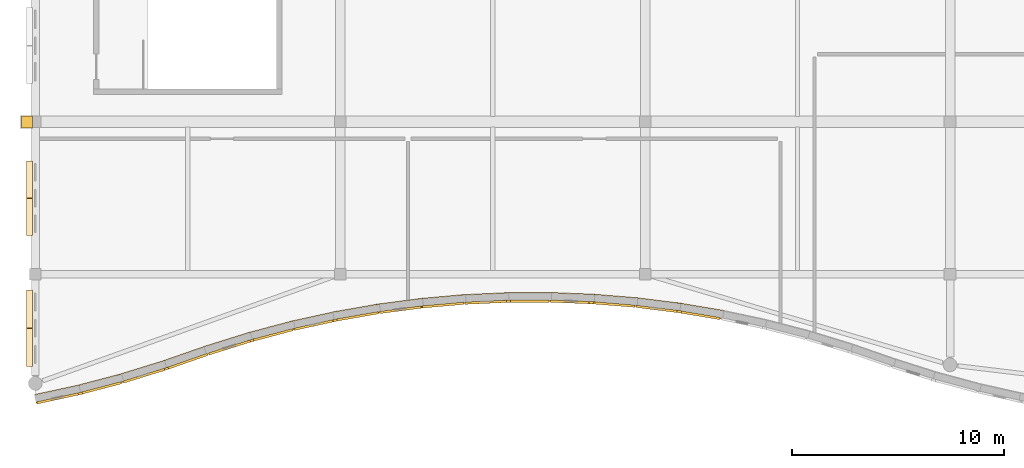
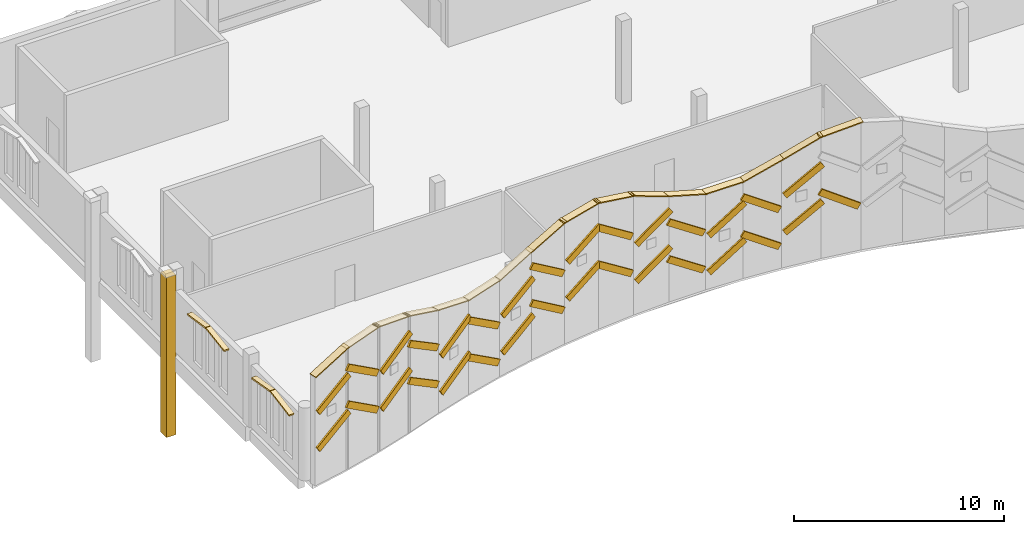
# One storey, part 103 of 116: 52 coverings.
"""IFC4 building model written with IfcOpenShell, lengths in metres."""

from ifc_helpers import new_model, si_unit, direction, frame, origin, place, context, subcontext, project, spatial, polyline, outline, extrude, material, layer, layer_set, type_object, element, save


model = new_model("IFC4")

# Units and contexts
model_context = context("Model", 3, precision=1e-05, world=origin(), true_north=direction((0.0, 1.0)))
body_context = subcontext(model_context, "Body", "Model", "MODEL_VIEW")
ifc_project = project(units=[si_unit("LENGTHUNIT", "METRE"), si_unit("AREAUNIT", "SQUARE_METRE"), si_unit("VOLUMEUNIT", "CUBIC_METRE"), si_unit("PLANEANGLEUNIT", "RADIAN"), si_unit("MASSUNIT", "GRAM", prefix="KILO")], contexts=[model_context])

# Site, building, storey
site_placement = place(None, origin())
site = spatial("IfcSite", under=ifc_project, at=site_placement, CompositionType="ELEMENT")
building_placement = place(site_placement, origin())
building = spatial("IfcBuilding", under=site, at=building_placement, Name="Cendralis Lancet Convention Centre", CompositionType="ELEMENT")
storey_placement = place(building_placement, frame((0.0, 0.0, 15.0)))
storey = spatial("IfcBuildingStorey", under=building, at=storey_placement, Name="L03", CompositionType="ELEMENT", Elevation=15.0)

# Coverings
ifc_material_1 = material(Name="Warm buff sandstone chevron cassette", Category="masonry")
ifc_layer_1 = layer(ifc_material_1, 0.06005859375, Name="Warm buff sandstone chevron cassette")
ifc_layer_set_1 = layer_set([ifc_layer_1], Name="Warm buff sandstone chevron cassette")
covering_type_1 = type_object("IfcCoveringType", Name="ARC-CV-CLAD1", PredefinedType="CLADDING", material=ifc_layer_set_1)
covering_1_placement = place(storey_placement, frame((0.09521484375, 1.074462890625, 2.23291015625), z_axis=(-0.534264422169, -0.115352545696, 0.837409886141), x_axis=(0.818477390055, 0.177059631031, 0.546575382749)))
element("IfcCovering", 1, at=covering_1_placement, inside=storey, type_object=covering_type_1, Name="L03 Diagonal Stone Chevron Relief CL-ST1 #0005", PredefinedType="CLADDING", context=body_context, shape_type="SweptSolid", body=[
    extrude(outline(polyline([(0.0, 0.0), (2.3785352746506123, -5.095750210681871e-18), (2.3785721119549623, 0.10989717826507894), (3.683730435013327e-05, 0.10989717826507893), (0.0, 0.0)])), origin(), (0.0, 0.0, -1.0), 0.360107421875),
])
covering_2_placement = place(storey_placement, frame((2.130859375, 1.516845703125, 3.98388671875), z_axis=(0.524536635254, 0.137909172759, 0.840144260437), x_axis=(0.812669229497, 0.213099013533, -0.542362917114)))
element("IfcCovering", 2, at=covering_2_placement, inside=storey, type_object=covering_type_1, Name="L03 Diagonal Stone Chevron Relief CL-ST1 #0011", PredefinedType="CLADDING", context=body_context, shape_type="SweptSolid", body=[
    extrude(outline(polyline([(0.0, 0.0), (2.396684184558376, -2.1141942363467336e-18), (2.3964989085561, 0.10984953103421952), (6.515569768214546e-05, 0.11002370531988022), (0.0, 0.0)])), origin(), (0.0, 0.0, -1.0), 0.360107421875),
])
covering_3_placement = place(storey_placement, frame((4.16650390625, 2.052734375, 2.553955078125), z_axis=(-0.513116687183, -0.159304831951, 0.843405736198), x_axis=(0.805718133303, 0.249302453814, 0.537277001359)))
element("IfcCovering", 3, at=covering_3_placement, inside=storey, type_object=covering_type_1, Name="L03 Diagonal Stone Chevron Relief CL-ST1 #0017", PredefinedType="CLADDING", context=body_context, shape_type="SweptSolid", body=[
    extrude(outline(polyline([(0.0, 0.0), (2.419797707072139, 7.686993402922226e-17), (2.419610652696563, 0.10995963308373377), (9.654153062380044e-06, 0.10988740311742318), (0.0, 0.0)])), origin(), (0.0, 0.0, -1.0), 0.360107421875),
])
covering_4_placement = place(storey_placement, frame((6.200927734375, 2.683837890625, 3.22802734375), z_axis=(0.503400481983, 0.174890308294, 0.846168620787), x_axis=(0.799122559196, 0.278216745719, -0.532915169408)))
element("IfcCovering", 4, at=covering_4_placement, inside=storey, type_object=covering_type_1, Name="L03 Diagonal Stone Chevron Relief CL-ST1 #0023", PredefinedType="CLADDING", context=body_context, shape_type="SweptSolid", body=[
    extrude(outline(polyline([(0.0, 0.0), (2.439504264008427, 3.7513395167998453e-17), (2.439565346751399, 0.11010172080089158), (6.10827429723855e-05, 0.11010172080089148), (0.0, 0.0)])), origin(), (0.0, 0.0, -1.0), 0.360107421875),
])
covering_5_placement = place(storey_placement, frame((8.218505859375, 3.385009765625, 1.27294921875), z_axis=(-0.512432144348, -0.160879859272, 0.843522950678), x_axis=(0.804983924834, 0.252055485297, 0.537093020892)))
element("IfcCovering", 5, at=covering_5_placement, inside=storey, type_object=covering_type_1, Name="L03 Diagonal Stone Chevron Relief CL-ST1 #0029", PredefinedType="CLADDING", context=body_context, shape_type="SweptSolid", body=[
    extrude(outline(polyline([(0.0, 0.0), (2.4205282466077915, -1.0072238182390336e-16), (2.420457697004613, 0.11003267011553743), (-7.054960317889533e-05, 0.11003267011553755), (0.0, 0.0)])), origin(), (0.0, 0.0, -1.0), 0.360107421875),
])
covering_6_placement = place(storey_placement, frame((10.232666015625, 4.01416015625, 2.3740234375), z_axis=(0.524033667358, 0.138820845367, 0.840307972334), x_axis=(0.812149151955, 0.215711222203, -0.542109235851)))
element("IfcCovering", 6, at=covering_6_placement, inside=storey, type_object=covering_type_1, Name="L03 Diagonal Stone Chevron Relief CL-ST1 #0035", PredefinedType="CLADDING", context=body_context, shape_type="SweptSolid", body=[
    extrude(outline(polyline([(0.0, 0.0), (2.398229906017896, -1.7564075194265172e-17), (2.3981910366950805, 0.11014825940735083), (0.00015940927873638391, 0.11008563247323438), (0.0, 0.0)])), origin(), (0.0, 0.0, -1.0), 0.360107421875),
])
covering_7_placement = place(storey_placement, frame((12.246826171875, 4.5478515625, 1.486083984375), z_axis=(-0.533350493339, -0.116973460471, 0.837767545803), x_axis=(0.818273715997, 0.179673590735, 0.546027038251)))
element("IfcCovering", 7, at=covering_7_placement, inside=storey, type_object=covering_type_1, Name="L03 Diagonal Stone Chevron Relief CL-ST1 #0041", PredefinedType="CLADDING", context=body_context, shape_type="SweptSolid", body=[
    extrude(outline(polyline([(0.0, 0.0), (2.3805766754283724, 5.093039705250657e-17), (2.380499485358036, 0.11000122332990231), (0.00012258378610826431, 0.1099488807089719), (0.0, 0.0)])), origin(), (0.0, 0.0, -1.0), 0.360107421875),
])
covering_8_placement = place(storey_placement, frame((14.26220703125, 4.989013671875, 3.514892578125), z_axis=(0.541257918087, 0.095193049855, 0.835450865921), x_axis=(0.822911279181, 0.144205603423, -0.549565073979)))
element("IfcCovering", 8, at=covering_8_placement, inside=storey, type_object=covering_type_1, Name="L03 Diagonal Stone Chevron Relief CL-ST1 #0047", PredefinedType="CLADDING", context=body_context, shape_type="SweptSolid", body=[
    extrude(outline(polyline([(0.0, 0.0), (2.3651338865917353, 7.860465750519907e-17), (2.3650948749080394, 0.11005841291929183), (-7.421812984405134e-05, 0.10981794456270894), (0.0, 0.0)])), origin(), (0.0, 0.0, -1.0), 0.360107421875),
])
covering_9_placement = place(storey_placement, frame((16.276123046875, 5.340576171875, 2.735107421875), z_axis=(-0.547430321174, -0.072336817356, 0.833719034396), x_axis=(0.826630378492, 0.10848875666, 0.552188742218)))
element("IfcCovering", 9, at=covering_9_placement, inside=storey, type_object=covering_type_1, Name="L03 Diagonal Stone Chevron Relief CL-ST1 #0053", PredefinedType="CLADDING", context=body_context, shape_type="SweptSolid", body=[
    extrude(outline(polyline([(0.0, 0.0), (2.3539004442425306, -2.6454533008646308e-17), (2.3538328861116513, 0.11007735277665456), (-9.404464373559233e-05, 0.10983529654094662), (0.0, 0.0)])), origin(), (0.0, 0.0, -1.0), 0.360107421875),
])
covering_10_placement = place(storey_placement, frame((18.290283203125, 5.603515625, 3.97412109375), z_axis=(0.551959934038, 0.049172377197, 0.83241955079), x_axis=(0.829189448705, 0.07326171836, -0.554145810035)))
element("IfcCovering", 10, at=covering_10_placement, inside=storey, type_object=covering_type_1, Name="L03 Diagonal Stone Chevron Relief CL-ST1 #0059", PredefinedType="CLADDING", context=body_context, shape_type="SweptSolid", body=[
    extrude(outline(polyline([(0.0, 0.0), (2.3460410682233244, -1.4040418133687282e-17), (2.345974401620591, 0.11005325519296659), (-6.666660273303357e-05, 0.11005325519296662), (0.0, 0.0)])), origin(), (0.0, 0.0, -1.0), 0.360107421875),
])
covering_11_placement = place(storey_placement, frame((20.303955078125, 5.780029296875, 2.0849609375), z_axis=(-0.554551451117, -0.024646731161, 0.831784363105), x_axis=(0.830928034886, 0.037736287621, 0.55509870603)))
element("IfcCovering", 11, at=covering_11_placement, inside=storey, type_object=covering_type_1, Name="L03 Diagonal Stone Chevron Relief CL-ST1 #0065", PredefinedType="CLADDING", context=body_context, shape_type="SweptSolid", body=[
    extrude(outline(polyline([(0.0, 0.0), (2.3420137968284065, -2.168404344971009e-19), (2.3421023634133253, 0.10997169899972807), (8.856658491903681e-05, 0.10997169899972807), (0.0, 0.0)])), origin(), (0.0, 0.0, -1.0), 0.360107421875),
])
covering_12_placement = place(storey_placement, frame((22.319091796875, 5.8701171875, 2.7060546875), z_axis=(0.555705344938, 0.001848243941, 0.831377263101), x_axis=(0.83137100905, 0.003235303625, -0.555708357074)))
element("IfcCovering", 12, at=covering_12_placement, inside=storey, type_object=covering_type_1, Name="L03 Diagonal Stone Chevron Relief CL-ST1 #0071", PredefinedType="CLADDING", context=body_context, shape_type="SweptSolid", body=[
    extrude(outline(polyline([(0.0, 0.0), (2.339342957500622, -2.4936649967166602e-18), (2.3394962170040134, 0.11010756498317643), (-4.971193436520963e-05, 0.11010847241542183), (0.0, 0.0)])), origin(), (0.0, 0.0, -1.0), 0.360107421875),
])
covering_13_placement = place(storey_placement, frame((24.33251953125, 5.876708984375, 1.14111328125), z_axis=(-0.554879062628, 0.022195162505, 0.831634896224), x_axis=(0.83100211089, -0.03243901801, 0.555322610566)))
element("IfcCovering", 13, at=covering_13_placement, inside=storey, type_object=covering_type_1, Name="L03 Diagonal Stone Chevron Relief CL-ST1 #0077", PredefinedType="CLADDING", context=body_context, shape_type="SweptSolid", body=[
    extrude(outline(polyline([(0.0, 0.0), (2.340629865898504, -3.0357660829594124e-18), (2.340717873684504, 0.10995110152496623), (8.80077860002334e-05, 0.10995110152496623), (0.0, 0.0)])), origin(), (0.0, 0.0, -1.0), 0.360107421875),
])
covering_14_placement = place(storey_placement, frame((26.346435546875, 5.796630859375, 2.79296875), z_axis=(0.552585910248, -0.0449206809, 0.832244521894), x_axis=(0.829531137525, -0.067149540696, -0.554408722029)))
element("IfcCovering", 14, at=covering_14_placement, inside=storey, type_object=covering_type_1, Name="L03 Diagonal Stone Chevron Relief CL-ST1 #0083", PredefinedType="CLADDING", context=body_context, shape_type="SweptSolid", body=[
    extrude(outline(polyline([(0.0, 0.0), (2.3450297857293902, -4.174178364069192e-18), (2.3449597117983223, 0.10997087864770992), (0.00013244831930383193, 0.10999060258684137), (0.0, 0.0)])), origin(), (0.0, 0.0, -1.0), 0.360107421875),
])
covering_15_placement = place(storey_placement, frame((28.360107421875, 5.632080078125, 2.2109375), z_axis=(-0.548525685574, 0.067491974735, 0.833405306926), x_axis=(0.827073125683, -0.10254087692, 0.552662114979)))
element("IfcCovering", 15, at=covering_15_placement, inside=storey, type_object=covering_type_1, Name="L03 Diagonal Stone Chevron Relief CL-ST1 #0089", PredefinedType="CLADDING", context=body_context, shape_type="SweptSolid", body=[
    extrude(outline(polyline([(0.0, 0.0), (2.3523393279369476, 3.686287386450715e-17), (2.3522546721579833, 0.10995381463037417), (-8.46557789641808e-05, 0.10995381463037412), (0.0, 0.0)])), origin(), (0.0, 0.0, -1.0), 0.360107421875),
])
covering_16_placement = place(storey_placement, frame((30.373779296875, 5.381103515625, 4.077880859375), z_axis=(0.542341201069, -0.090898581507, 0.835226597699), x_axis=(0.823764527043, -0.137896635031, -0.549905921075)))
element("IfcCovering", 16, at=covering_16_placement, inside=storey, type_object=covering_type_1, Name="L03 Diagonal Stone Chevron Relief CL-ST1 #0095", PredefinedType="CLADDING", context=body_context, shape_type="SweptSolid", body=[
    extrude(outline(polyline([(0.0, 0.0), (2.3636018639489094, -3.3772897672923463e-17), (2.3637039969908082, 0.1101747359447113), (-6.531517392422727e-05, 0.10989362576735882), (0.0, 0.0)])), origin(), (0.0, 0.0, -1.0), 0.360107421875),
])
for number, where, z_axis, x_axis, name in (
    (17, (-0.419921875, 2.84765625, 3.27001953125), (0.0, -0.17327956293, 0.984872678609), (1.0, 0.0, 0.0), "L03 Gothic Pointed Lancet Hood-Mould #0289L"),
    (18, (-0.419921875, 4.65771484375, 3.5849609375), (0.0, 0.17327956293, 0.984872678609), (1.0, 0.0, 0.0), "L03 Gothic Pointed Lancet Hood-Mould #0290R"),
):
    element("IfcCovering", number, at=place(storey_placement, frame(where, z_axis=z_axis, x_axis=x_axis)), inside=storey, type_object=covering_type_1, Name=name, PredefinedType="CLADDING", context=body_context, shape_type="SweptSolid", body=[
        extrude(outline(polyline([(0.0, 0.0), (0.284912109375, 0.0), (0.284912109375, 1.8175334755229697), (0.0, 1.8175334755229697), (0.0, 0.0)])), origin(), (0.0, 0.0, -1.0), 0.090087890625),
    ])
for number, where, z_axis, x_axis, name in (
    (19, (-0.419921875, 9.0400390625, 3.27001953125), (0.0, -0.149662363498, 0.988737162724), (1.0, 0.0, 0.0), "L03 Gothic Pointed Lancet Hood-Mould #0291L"),
    (20, (-0.419921875, 10.81005859375, 3.534912109375), (0.0, 0.149662363498, 0.988737162724), (1.0, 0.0, 0.0), "L03 Gothic Pointed Lancet Hood-Mould #0292R"),
):
    element("IfcCovering", number, at=place(storey_placement, frame(where, z_axis=z_axis, x_axis=x_axis)), inside=storey, type_object=covering_type_1, Name=name, PredefinedType="CLADDING", context=body_context, shape_type="SweptSolid", body=[
        extrude(outline(polyline([(0.0, 0.0), (0.284912109375, 0.0), (0.284912109375, 1.7699344840828741), (0.0, 1.7699344840828741), (0.0, 0.0)])), origin(), (0.0, 0.0, -1.0), 0.090087890625),
    ])
covering_17_placement = place(storey_placement, frame((0.0, 0.0, -4.800048828125)))
element("IfcCovering", 21, at=covering_17_placement, inside=storey, type_object=covering_type_1, Name="Gothic Stepped Stone Buttress Shaft #0077", PredefinedType="CLADDING", context=body_context, shape_type="SweptSolid", body=[
    extrude(outline(polyline([(-0.659912109375, 14.679931640625), (-0.659912109375, 14.1201171875), (-0.1298828125, 14.1201171875), (-0.1298828125, 14.679931640625), (-0.659912109375, 14.679931640625)])), origin(), (0.0, 0.0, 1.0), 9.300048828125),
])
ifc_material_2 = material(Name="Dark Andean slate chevron cassette", Category="masonry")
ifc_layer_2 = layer(ifc_material_2, 0.06005859375, Name="Dark Andean slate chevron cassette")
ifc_layer_set_2 = layer_set([ifc_layer_2], Name="Dark Andean slate chevron cassette")
covering_type_2 = type_object("IfcCoveringType", Name="ARC-CV-CLAD2", PredefinedType="CLADDING", material=ifc_layer_set_2)
covering_18_placement = place(storey_placement, frame((0.04638671875, 1.110107421875, 6.35498046875), z_axis=(-0.327447179971, -0.0706888649, 0.942221539081), x_axis=(0.920941280042, 0.199119556025, 0.334990389597)))
element("IfcCovering", 22, at=covering_18_placement, inside=storey, type_object=covering_type_2, Name="Wave Ribbon Sinusoidal Slate Coping W-000", PredefinedType="CLADDING", context=body_context, shape_type="SweptSolid", body=[
    extrude(outline(polyline([(0.0, 0.0), (2.2891330512667514, -5.849270720559296e-17), (2.2892837857829798, 0.4200987415924814), (0.00010212134337053702, 0.419860113084504), (0.0, 0.0)])), origin(), (0.0, 0.0, -1.0), 0.06005859375),
])
covering_19_placement = place(storey_placement, frame((0.09521484375, 1.074462890625, 4.383056640625), z_axis=(-0.534264422169, -0.115352545696, 0.837409886141), x_axis=(0.818477390055, 0.177059631031, 0.546575382749)))
element("IfcCovering", 23, at=covering_19_placement, inside=storey, type_object=covering_type_2, Name="L03 Diagonal Stone Chevron Relief CL-ST2 #0006", PredefinedType="CLADDING", context=body_context, shape_type="SweptSolid", body=[
    extrude(outline(polyline([(0.0, 0.0), (2.3785352746506123, -5.095750210681871e-18), (2.3785721119549623, 0.10989717826507894), (3.683730435013327e-05, 0.10989717826507893), (0.0, 0.0)])), origin(), (0.0, 0.0, -1.0), 0.360107421875),
])
covering_20_placement = place(storey_placement, frame((1.99853515625, 1.528564453125, 7.077392578125), z_axis=(-0.095213026968, -0.024947644085, 0.995144258161), x_axis=(0.962589673372, 0.252454383561, 0.098427155495)))
element("IfcCovering", 24, at=covering_20_placement, inside=storey, type_object=covering_type_2, Name="Wave Ribbon Sinusoidal Slate Coping W-001", PredefinedType="CLADDING", context=body_context, shape_type="SweptSolid", body=[
    extrude(outline(polyline([(0.0, 0.0), (2.2745445806939824, 2.945133557603202e-17), (2.274641015424097, 0.4199638767246125), (9.643473011487769e-05, 0.41996387672461244), (0.0, 0.0)])), origin(), (0.0, 0.0, -1.0), 0.06005859375),
])
covering_21_placement = place(storey_placement, frame((2.130859375, 1.516845703125, 6.134033203125), z_axis=(0.524606171224, 0.137927454891, 0.84009784091), x_axis=(0.81262432803, 0.213087239418, -0.54243481626)))
element("IfcCovering", 25, at=covering_21_placement, inside=storey, type_object=covering_type_2, Name="L03 Diagonal Stone Chevron Relief CL-ST2 #0012", PredefinedType="CLADDING", context=body_context, shape_type="SweptSolid", body=[
    extrude(outline(polyline([(0.0, 0.0), (2.3968165992358967, -1.533603972980746e-16), (2.396631333470113, 0.10984953104359214), (6.51520973630644e-05, 0.11002370531413276), (0.0, 0.0)])), origin(), (0.0, 0.0, -1.0), 0.360107421875),
])
covering_22_placement = place(storey_placement, frame((4.03369140625, 2.05859375, 7.313720703125), z_axis=(0.207147257596, 0.064009006605, 0.97621353235), x_axis=(0.932579808175, 0.288596205698, -0.216811280705)))
element("IfcCovering", 26, at=covering_22_placement, inside=storey, type_object=covering_type_2, Name="Wave Ribbon Sinusoidal Slate Coping W-002", PredefinedType="CLADDING", context=body_context, shape_type="SweptSolid", body=[
    extrude(outline(polyline([(0.0, 0.0), (2.346690914081162, -1.2856604886604672e-16), (2.3468622079324115, 0.4200921362146559), (0.00017129385124953211, 0.420092136214656), (0.0, 0.0)])), origin(), (0.0, 0.0, -1.0), 0.06005859375),
])
covering_23_placement = place(storey_placement, frame((4.16650390625, 2.052734375, 4.7041015625), z_axis=(-0.513048137581, -0.159283549691, 0.843451456412), x_axis=(0.805761810478, 0.249315968255, 0.537205224051)))
element("IfcCovering", 27, at=covering_23_placement, inside=storey, type_object=covering_type_2, Name="L03 Diagonal Stone Chevron Relief CL-ST2 #0018", PredefinedType="CLADDING", context=body_context, shape_type="SweptSolid", body=[
    extrude(outline(polyline([(0.0, 0.0), (2.419666550020977, -4.607859233063394e-17), (2.419479485505761, 0.10995963307125074), (9.654676795065736e-06, 0.10988740312214657), (0.0, 0.0)])), origin(), (0.0, 0.0, -1.0), 0.360107421875),
])
covering_24_placement = place(storey_placement, frame((6.068115234375, 2.685302734375, 6.863037109375), z_axis=(0.328754505959, 0.114507723306, 0.93744784181), x_axis=(0.885347083787, 0.308170410308, -0.348125752338)))
element("IfcCovering", 28, at=covering_24_placement, inside=storey, type_object=covering_type_2, Name="Wave Ribbon Sinusoidal Slate Coping W-003", PredefinedType="CLADDING", context=body_context, shape_type="SweptSolid", body=[
    extrude(outline(polyline([(0.0, 0.0), (2.4685763527364415, 2.0729945537922845e-16), (2.468495900423848, 0.42010500380155735), (-8.045231259364016e-05, 0.42010500380155713), (0.0, 0.0)])), origin(), (0.0, 0.0, -1.0), 0.06005859375),
])
covering_25_placement = place(storey_placement, frame((6.200927734375, 2.683837890625, 5.3779296875), z_axis=(0.503400481983, 0.174890308294, 0.846168620787), x_axis=(0.799122559196, 0.278216745719, -0.532915169408)))
element("IfcCovering", 29, at=covering_25_placement, inside=storey, type_object=covering_type_2, Name="L03 Diagonal Stone Chevron Relief CL-ST2 #0024", PredefinedType="CLADDING", context=body_context, shape_type="SweptSolid", body=[
    extrude(outline(polyline([(0.0, 0.0), (2.439504264008427, 3.7513395167998453e-17), (2.439565346751399, 0.11010172080089158), (6.10827429723855e-05, 0.11010172080089148), (0.0, 0.0)])), origin(), (0.0, 0.0, -1.0), 0.360107421875),
])
covering_26_placement = place(storey_placement, frame((8.085693359375, 3.390625, 6.064697265625), z_axis=(0.231949961119, 0.072607965904, 0.970014071457), x_axis=(0.925693371986, 0.289860449701, -0.243048762102)))
element("IfcCovering", 30, at=covering_26_placement, inside=storey, type_object=covering_type_2, Name="Wave Ribbon Sinusoidal Slate Coping W-004", PredefinedType="CLADDING", context=body_context, shape_type="SweptSolid", body=[
    extrude(outline(polyline([(0.0, 0.0), (2.362566034211591, 1.1102230246251565e-16), (2.362601304037784, 0.4200609538665965), (3.526982619292407e-05, 0.4200609538665963), (0.0, 0.0)])), origin(), (0.0, 0.0, -1.0), 0.06005859375),
])
covering_27_placement = place(storey_placement, frame((8.218505859375, 3.385009765625, 3.422119140625), z_axis=(-0.512637509116, -0.160944334257, 0.843385858026), x_axis=(0.804853095749, 0.25201452027, 0.537308268907)))
element("IfcCovering", 31, at=covering_27_placement, inside=storey, type_object=covering_type_2, Name="L03 Diagonal Stone Chevron Relief CL-ST2 #0030", PredefinedType="CLADDING", context=body_context, shape_type="SweptSolid", body=[
    extrude(outline(polyline([(0.0, 0.0), (2.4209217041177866, -3.3285006695304986e-17), (2.4208511659806007, 0.11003267012288862), (-7.05381371859451e-05, 0.11003267012288862), (0.0, 0.0)])), origin(), (0.0, 0.0, -1.0), 0.360107421875),
])
covering_28_placement = place(storey_placement, frame((10.100341796875, 4.025634765625, 5.50927734375), z_axis=(-0.059565195135, -0.015836280451, 0.99809879258), x_axis=(0.964650974387, 0.256221969347, 0.061634406282)))
element("IfcCovering", 32, at=covering_28_placement, inside=storey, type_object=covering_type_2, Name="Wave Ribbon Sinusoidal Slate Coping W-005", PredefinedType="CLADDING", context=body_context, shape_type="SweptSolid", body=[
    extrude(outline(polyline([(0.0, 0.0), (2.2696843711154093, -1.687442096861072e-16), (2.2696163545981367, 0.4201016008523984), (-0.0001305707090076963, 0.41986564180986097), (0.0, 0.0)])), origin(), (0.0, 0.0, -1.0), 0.06005859375),
])
covering_29_placement = place(storey_placement, frame((10.232666015625, 4.01416015625, 4.52392578125), z_axis=(0.523964172527, 0.138802435612, 0.840354347746), x_axis=(0.812193973309, 0.215723126995, -0.542037343917)))
element("IfcCovering", 33, at=covering_29_placement, inside=storey, type_object=covering_type_2, Name="L03 Diagonal Stone Chevron Relief CL-ST2 #0036", PredefinedType="CLADDING", context=body_context, shape_type="SweptSolid", body=[
    extrude(outline(polyline([(0.0, 0.0), (2.3980975693781676, -1.3574211199518516e-16), (2.398058697909935, 0.11014825941151993), (0.00015941807603213343, 0.11008563246542426), (0.0, 0.0)])), origin(), (0.0, 0.0, -1.0), 0.360107421875),
])
covering_30_placement = place(storey_placement, frame((12.115234375, 4.56494140625, 5.6103515625), z_axis=(-0.313931134982, -0.068952731434, 0.946938627006), x_axis=(0.924890629704, 0.203150403406, 0.321414431352)))
element("IfcCovering", 34, at=covering_30_placement, inside=storey, type_object=covering_type_2, Name="Wave Ribbon Sinusoidal Slate Coping W-006", PredefinedType="CLADDING", context=body_context, shape_type="SweptSolid", body=[
    extrude(outline(polyline([(0.0, 0.0), (2.3698959215867355, 5.4752209710517974e-18), (2.3698978833447395, 0.41993330118898164), (1.961758003862779e-06, 0.4199333011889816), (0.0, 0.0)])), origin(), (0.0, 0.0, -1.0), 0.06005859375),
])
covering_31_placement = place(storey_placement, frame((12.246826171875, 4.5478515625, 3.635986328125), z_axis=(-0.533420798181, -0.116988879601, 0.837720630113), x_axis=(0.81822789198, 0.179663528864, 0.546099014083)))
element("IfcCovering", 35, at=covering_31_placement, inside=storey, type_object=covering_type_2, Name="L03 Diagonal Stone Chevron Relief CL-ST2 #0042", PredefinedType="CLADDING", context=body_context, shape_type="SweptSolid", body=[
    extrude(outline(polyline([(0.0, 0.0), (2.380709986003062, 9.0015885370609e-17), (2.3806328002555412, 0.11000122332785592), (0.00012257692141973142, 0.10994888071154302), (0.0, 0.0)])), origin(), (0.0, 0.0, -1.0), 0.360107421875),
])
covering_32_placement = place(storey_placement, frame((14.13134765625, 5.01171875, 6.302490234375), z_axis=(-0.345862768817, -0.060620384974, 0.93632479091), x_axis=(0.922264815548, 0.161653097953, 0.351135139121)))
element("IfcCovering", 36, at=covering_32_placement, inside=storey, type_object=covering_type_2, Name="Wave Ribbon Sinusoidal Slate Coping W-007", PredefinedType="CLADDING", context=body_context, shape_type="SweptSolid", body=[
    extrude(outline(polyline([(0.0, 0.0), (2.3771755518672713, 6.974469287691909e-17), (2.377197366030585, 0.42012295835408975), (-1.7651925053735473e-05, 0.41988248374910286), (0.0, 0.0)])), origin(), (0.0, 0.0, -1.0), 0.06005859375),
])
covering_33_placement = place(storey_placement, frame((14.26220703125, 4.989013671875, 5.6650390625), z_axis=(0.54132887114, 0.095205528633, 0.835403471736), x_axis=(0.822864596365, 0.144197422804, -0.549637116019)))
element("IfcCovering", 37, at=covering_33_placement, inside=storey, type_object=covering_type_2, Name="L03 Diagonal Stone Chevron Relief CL-ST2 #0048", PredefinedType="CLADDING", context=body_context, shape_type="SweptSolid", body=[
    extrude(outline(polyline([(0.0, 0.0), (2.365268067548942, 1.588356182691264e-17), (2.365229058078382, 0.11005841291991537), (-7.4213919486487e-05, 0.10981794456539315), (0.0, 0.0)])), origin(), (0.0, 0.0, -1.0), 0.360107421875),
])
covering_34_placement = place(storey_placement, frame((16.146484375, 5.368896484375, 7.087158203125), z_axis=(-0.135584406609, -0.01780762655, 0.990605752619), x_axis=(0.982171924653, 0.1289886334, 0.136748831356)))
element("IfcCovering", 38, at=covering_34_placement, inside=storey, type_object=covering_type_2, Name="Wave Ribbon Sinusoidal Slate Coping W-008", PredefinedType="CLADDING", context=body_context, shape_type="SweptSolid", body=[
    extrude(outline(polyline([(0.0, 0.0), (2.233421415635889, 1.294689859878198e-17), (2.233433158179523, 0.42007883359572656), (-1.97488219421324e-05, 0.419836771543047), (0.0, 0.0)])), origin(), (0.0, 0.0, -1.0), 0.06005859375),
])
covering_35_placement = place(storey_placement, frame((16.276123046875, 5.340576171875, 4.885009765625), z_axis=(-0.547501786097, -0.072346260649, 0.833671285814), x_axis=(0.826583035916, 0.108482543318, 0.552260828351)))
element("IfcCovering", 39, at=covering_35_placement, inside=storey, type_object=covering_type_2, Name="L03 Diagonal Stone Chevron Relief CL-ST2 #0054", PredefinedType="CLADDING", context=body_context, shape_type="SweptSolid", body=[
    extrude(outline(polyline([(0.0, 0.0), (2.3540352655105607, 1.0191500421363742e-17), (2.353967711248907, 0.11007735277893672), (-9.403925758104219e-05, 0.1098352965454656), (0.0, 0.0)])), origin(), (0.0, 0.0, -1.0), 0.360107421875),
])
covering_36_placement = place(storey_placement, frame((18.16162109375, 5.637451171875, 7.398681640625), z_axis=(0.19465560689, 0.01721057744, 0.980720648671), x_axis=(0.976916992541, 0.086291254938, -0.195414966178)))
element("IfcCovering", 40, at=covering_36_placement, inside=storey, type_object=covering_type_2, Name="Wave Ribbon Sinusoidal Slate Coping W-009", PredefinedType="CLADDING", context=body_context, shape_type="SweptSolid", body=[
    extrude(outline(polyline([(0.0, 0.0), (2.246430227431073, 1.1434944787933055e-17), (2.2462866307751894, 0.42009924021148337), (7.384126833560184e-05, 0.41983456440450456), (0.0, 0.0)])), origin(), (0.0, 0.0, -1.0), 0.06005859375),
])
covering_37_placement = place(storey_placement, frame((18.290283203125, 5.603515625, 6.1240234375), z_axis=(0.551959934038, 0.049172377197, 0.83241955079), x_axis=(0.829189448705, 0.07326171836, -0.554145810035)))
element("IfcCovering", 41, at=covering_37_placement, inside=storey, type_object=covering_type_2, Name="L03 Diagonal Stone Chevron Relief CL-ST2 #0060", PredefinedType="CLADDING", context=body_context, shape_type="SweptSolid", body=[
    extrude(outline(polyline([(0.0, 0.0), (2.3460410682233244, -1.4040418133687282e-17), (2.345974401620591, 0.11005325519296659), (-6.666660273303357e-05, 0.11005325519296662), (0.0, 0.0)])), origin(), (0.0, 0.0, -1.0), 0.360107421875),
])
covering_38_placement = place(storey_placement, frame((20.177001953125, 5.8193359375, 7.017333984375), z_axis=(0.362138846288, 0.016436910102, 0.93197922938), x_axis=(0.931017076809, 0.042337779036, -0.36251167589)))
element("IfcCovering", 42, at=covering_38_placement, inside=storey, type_object=covering_type_2, Name="Wave Ribbon Sinusoidal Slate Coping W-010", PredefinedType="CLADDING", context=body_context, shape_type="SweptSolid", body=[
    extrude(outline(polyline([(0.0, 0.0), (2.3584960032742743, 1.202109158743303e-17), (2.35852456098755, 0.41986566114089946), (3.889408511021167e-05, 0.4201095498464309), (0.0, 0.0)])), origin(), (0.0, 0.0, -1.0), 0.06005859375),
])
covering_39_placement = place(storey_placement, frame((20.303955078125, 5.780029296875, 4.235107421875), z_axis=(-0.554479393245, -0.024643528589, 0.831832494535), x_axis=(0.830976116733, 0.03773847124, 0.555026577028)))
element("IfcCovering", 43, at=covering_39_placement, inside=storey, type_object=covering_type_2, Name="L03 Diagonal Stone Chevron Relief CL-ST2 #0066", PredefinedType="CLADDING", context=body_context, shape_type="SweptSolid", body=[
    extrude(outline(polyline([(0.0, 0.0), (2.341878283487935, -1.734723475976807e-18), (2.34196685519778, 0.10997169899560054), (8.857170984540984e-05, 0.10997169899560057), (0.0, 0.0)])), origin(), (0.0, 0.0, -1.0), 0.360107421875),
])
covering_40_placement = place(storey_placement, frame((22.19384765625, 5.914794921875, 6.228759765625), z_axis=(0.278383231684, 0.001132955013, 0.960469412699), x_axis=(0.960462136591, 0.003738869401, -0.278385533084)))
element("IfcCovering", 44, at=covering_40_placement, inside=storey, type_object=covering_type_2, Name="Wave Ribbon Sinusoidal Slate Coping W-011", PredefinedType="CLADDING", context=body_context, shape_type="SweptSolid", body=[
    extrude(outline(polyline([(0.0, 0.0), (2.285429352963016, 4.472333961502706e-19), (2.285357971227877, 0.4199253465031106), (-7.1381735138187e-05, 0.4199253465031106), (0.0, 0.0)])), origin(), (0.0, 0.0, -1.0), 0.06005859375),
])
covering_41_placement = place(storey_placement, frame((22.319091796875, 5.8701171875, 4.85595703125), z_axis=(0.555705344938, 0.001848243941, 0.831377263101), x_axis=(0.83137100905, 0.003235303625, -0.555708357074)))
element("IfcCovering", 45, at=covering_41_placement, inside=storey, type_object=covering_type_2, Name="L03 Diagonal Stone Chevron Relief CL-ST2 #0072", PredefinedType="CLADDING", context=body_context, shape_type="SweptSolid", body=[
    extrude(outline(polyline([(0.0, 0.0), (2.339342957500622, -2.4936649967166602e-18), (2.3394962170040134, 0.11010756498317643), (-4.971193436520963e-05, 0.11010847241542183), (0.0, 0.0)])), origin(), (0.0, 0.0, -1.0), 0.360107421875),
])
covering_42_placement = place(storey_placement, frame((24.20947265625, 5.926513671875, 5.618408203125), z_axis=(-0.025314849642, 0.00098667535, 0.999679040922), x_axis=(0.998917962758, -0.039001135142, 0.025334070691)))
element("IfcCovering", 46, at=covering_42_placement, inside=storey, type_object=covering_type_2, Name="Wave Ribbon Sinusoidal Slate Coping W-012", PredefinedType="CLADDING", context=body_context, shape_type="SweptSolid", body=[
    extrude(outline(polyline([(0.0, 0.0), (2.197201672788942, -4.4022419851174124e-18), (2.1971734872897737, 0.4199963871107792), (-2.8185499168598832e-05, 0.4199963871107792), (0.0, 0.0)])), origin(), (0.0, 0.0, -1.0), 0.06005859375),
])
covering_43_placement = place(storey_placement, frame((24.33251953125, 5.876708984375, 3.291015625), z_axis=(-0.554951138178, 0.022198045527, 0.831586724888), x_axis=(0.830953976238, -0.032437139025, 0.555394743751)))
element("IfcCovering", 47, at=covering_43_placement, inside=storey, type_object=covering_type_2, Name="L03 Diagonal Stone Chevron Relief CL-ST2 #0078", PredefinedType="CLADDING", context=body_context, shape_type="SweptSolid", body=[
    extrude(outline(polyline([(0.0, 0.0), (2.3407654515132994, -1.1384122811097797e-17), (2.34085345420157, 0.10995110152904647), (8.80026882704439e-05, 0.10995110152904647), (0.0, 0.0)])), origin(), (0.0, 0.0, -1.0), 0.360107421875),
])
covering_44_placement = place(storey_placement, frame((26.2255859375, 5.8515625, 5.639892578125), z_axis=(-0.308010664959, 0.024971409991, 0.951055129293), x_axis=(0.947950699804, -0.076781053598, 0.309021262292)))
element("IfcCovering", 48, at=covering_44_placement, inside=storey, type_object=covering_type_2, Name="Wave Ribbon Sinusoidal Slate Coping W-013", PredefinedType="CLADDING", context=body_context, shape_type="SweptSolid", body=[
    extrude(outline(polyline([(0.0, 0.0), (2.3148217273871445, 3.564314642046096e-18), (2.31486138105082, 0.4198308073052332), (2.090828926178817e-05, 0.4200741508647671), (0.0, 0.0)])), origin(), (0.0, 0.0, -1.0), 0.06005859375),
])
covering_45_placement = place(storey_placement, frame((26.346435546875, 5.796630859375, 4.943115234375), z_axis=(0.552585910248, -0.0449206809, 0.832244521894), x_axis=(0.829531137525, -0.067149540696, -0.554408722029)))
element("IfcCovering", 49, at=covering_45_placement, inside=storey, type_object=covering_type_2, Name="L03 Diagonal Stone Chevron Relief CL-ST2 #0084", PredefinedType="CLADDING", context=body_context, shape_type="SweptSolid", body=[
    extrude(outline(polyline([(0.0, 0.0), (2.3450297857293902, -4.174178364069192e-18), (2.3449597117983223, 0.10997087864770992), (0.00013244831930383193, 0.10999060258684137), (0.0, 0.0)])), origin(), (0.0, 0.0, -1.0), 0.360107421875),
])
covering_46_placement = place(storey_placement, frame((28.241455078125, 5.692138671875, 6.28564453125), z_axis=(-0.359833196275, 0.044689301471, 0.931945780178), x_axis=(0.924865881672, -0.114656197661, 0.362597652029)))
element("IfcCovering", 50, at=covering_46_placement, inside=storey, type_object=covering_type_2, Name="Wave Ribbon Sinusoidal Slate Coping W-014", PredefinedType="CLADDING", context=body_context, shape_type="SweptSolid", body=[
    extrude(outline(polyline([(0.0, 0.0), (2.372071129149748, 3.198396408832238e-18), (2.3721574176035984, 0.4199497568557638), (8.628845385089817e-05, 0.4199497568557638), (0.0, 0.0)])), origin(), (0.0, 0.0, -1.0), 0.06005859375),
])
covering_47_placement = place(storey_placement, frame((28.360107421875, 5.632080078125, 4.361083984375), z_axis=(-0.548454132673, 0.067483170687, 0.833453109675), x_axis=(0.827120565202, -0.102546758492, 0.552590022479)))
element("IfcCovering", 51, at=covering_47_placement, inside=storey, type_object=covering_type_2, Name="L03 Diagonal Stone Chevron Relief CL-ST2 #0090", PredefinedType="CLADDING", context=body_context, shape_type="SweptSolid", body=[
    extrude(outline(polyline([(0.0, 0.0), (2.3522044094628844, 2.905661822261152e-17), (2.3521197488282075, 0.1099538146266355), (-8.466063467674895e-05, 0.10995381462663548), (0.0, 0.0)])), origin(), (0.0, 0.0, -1.0), 0.360107421875),
])
covering_48_placement = place(storey_placement, frame((30.2578125, 5.446044921875, 7.091064453125), z_axis=(-0.168025788582, 0.028119813764, 0.985381454283), x_axis=(0.971877633894, -0.162574522398, 0.170362523471)))
element("IfcCovering", 52, at=covering_48_placement, inside=storey, type_object=covering_type_2, Name="Wave Ribbon Sinusoidal Slate Coping W-015", PredefinedType="CLADDING", context=body_context, shape_type="SweptSolid", body=[
    extrude(outline(polyline([(0.0, 0.0), (2.2570778862719214, -9.053935173201216e-18), (2.2571082289274687, 0.42006840368480475), (3.0342655547452302e-05, 0.42006840368480475), (0.0, 0.0)])), origin(), (0.0, 0.0, -1.0), 0.06005859375),
])

save(model, "model.ifc")
